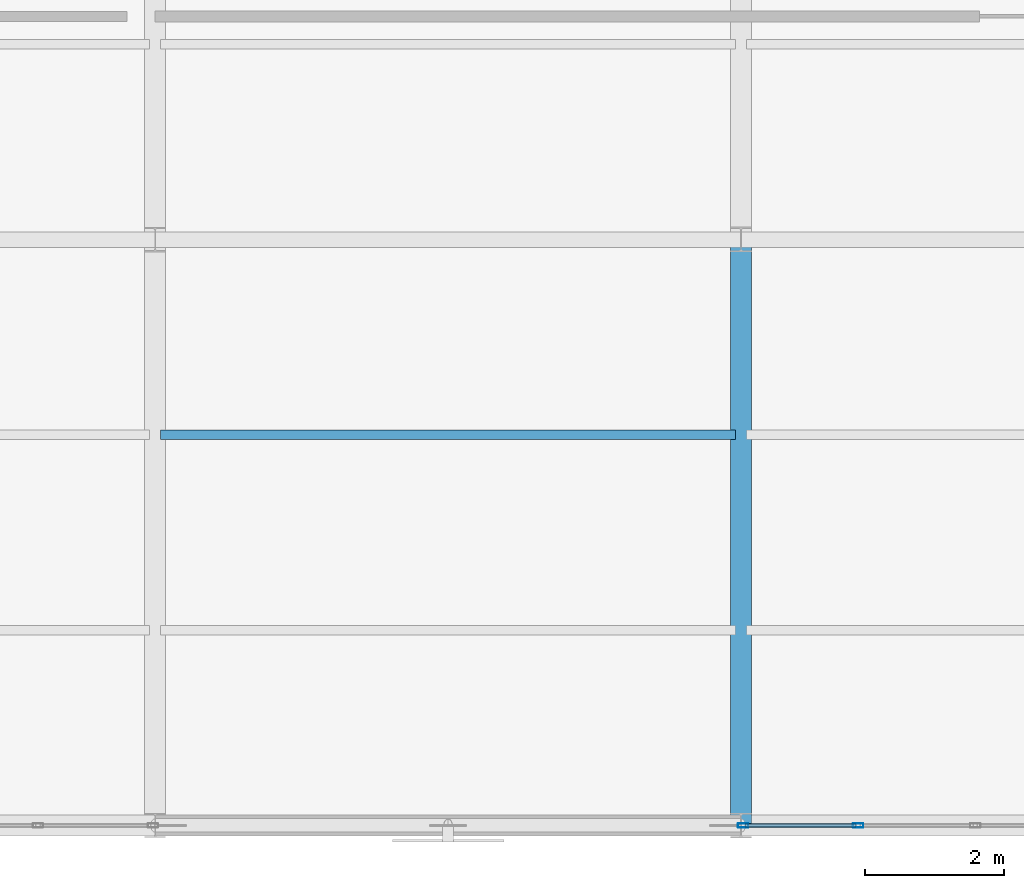
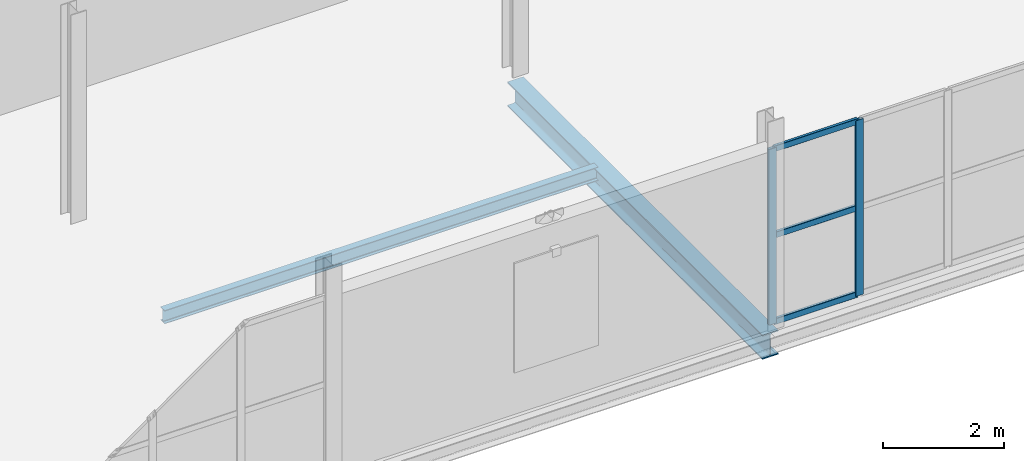
# One storey, part 96 of 163: 5 members, 2 beams, 1 element without a shape of its own.
"""IFC4 building model written with IfcOpenShell, lengths in metres."""

from ifc_helpers import new_model, si_unit, direction, frame, origin, origin_2d, place, context, subcontext, project, spatial, hollow_rectangle, i_section, extrude, material, layer, layer_set, material_profile, profile_set, type_object, element, aggregate, save


model = new_model("IFC4")

# Units and contexts
model_context = context("Model", 3, precision=1e-05, world=origin(), true_north=direction((0.0, 1.0)))
body_context = subcontext(model_context, "Body", "Model", "MODEL_VIEW")
ifc_project = project(units=[si_unit("LENGTHUNIT", "METRE"), si_unit("AREAUNIT", "SQUARE_METRE"), si_unit("VOLUMEUNIT", "CUBIC_METRE"), si_unit("PLANEANGLEUNIT", "RADIAN"), si_unit("MASSUNIT", "GRAM", prefix="KILO")], contexts=[model_context])

# Site, building, storey
site_placement = place(None, origin())
site = spatial("IfcSite", under=ifc_project, at=site_placement, CompositionType="ELEMENT")
building_placement = place(site_placement, origin())
building = spatial("IfcBuilding", under=site, at=building_placement, Name="Qalvenar Corner Mobility Hub", CompositionType="ELEMENT")
storey_placement = place(building_placement, frame((0.0, 0.0, 4.800048828125)))
storey = spatial("IfcBuildingStorey", under=building, at=storey_placement, Name="L01", CompositionType="ELEMENT", Elevation=4.800048828125)

# Beams
ifc_material_1 = material(Name="Steel S355", Category="steel")
ifc_material_profile_1 = material_profile(ifc_material_1, i_section(OverallWidth=0.300048828125, OverallDepth=0.489990234375, WebThickness=0.011962890625, FlangeThickness=0.02294921875, FilletRadius=0.027099609375, at=origin_2d()), Name="HEA500")
ifc_profile_set_1 = profile_set([ifc_material_profile_1], Name="Steel S355")
beam_type_1 = type_object("IfcBeamType", Name="BM-HEA500", PredefinedType="BEAM", material=ifc_profile_set_1)
beam_1_placement = place(storey_placement, frame((151.199951171875, 0.0, -0.425048828125), z_axis=(0.0, 1.0, 0.0), x_axis=(-1.0, 0.0, 0.0)))
element("IfcBeam", 1, at=beam_1_placement, inside=storey, type_object=beam_type_1, Name="Primary Steel Girder GY-1056", PredefinedType="BEAM", context=body_context, shape_type="SweptSolid", body=[
    extrude(i_section(OverallWidth=0.300048828125, OverallDepth=0.489990234375, WebThickness=0.011962890625, FlangeThickness=0.02294921875, FilletRadius=0.027099609375, at=origin_2d()), origin(), (0.0, 0.0, 1.0), 8.39990234375),
])
ifc_material_profile_2 = material_profile(ifc_material_1, i_section(OverallWidth=0.135009765625, OverallDepth=0.27001953125, WebThickness=0.006591796875, FlangeThickness=0.01025390625, FilletRadius=0.014892578125, at=origin_2d()), Name="IPE270")
ifc_profile_set_2 = profile_set([ifc_material_profile_2], Name="Steel S355")
beam_type_2 = type_object("IfcBeamType", Name="BM-JST270", PredefinedType="JOIST", material=ifc_profile_set_2)
beam_2_placement = place(storey_placement, frame((142.8779296875, 5.60009765625, -0.31494140625), z_axis=(1.0, 0.0, 0.0), x_axis=(0.0, 1.0, 0.0)))
element("IfcBeam", 2, at=beam_2_placement, inside=storey, type_object=beam_type_2, Name="Composite Floor Joist J-1121", PredefinedType="JOIST", context=body_context, shape_type="SweptSolid", body=[
    extrude(i_section(OverallWidth=0.135009765625, OverallDepth=0.27001953125, WebThickness=0.006591796875, FlangeThickness=0.01025390625, FilletRadius=0.014892578125, at=origin_2d()), origin(), (0.0, 0.0, 1.0), 8.244140625),
])

# Curtain wall, members
ifc_material_2 = material(Name="Anodised Aluminium and Low-E Glazing", Category="aluminium")
ifc_layer = layer(ifc_material_2, 0.14990234375)
ifc_layer_set = layer_set([ifc_layer], Name="Anodised Aluminium and Low-E Glazing")
curtain_wall_type = type_object("IfcCurtainWallType", Name="CW-WKS-84X44", PredefinedType="NOTDEFINED", material=ifc_layer_set)
curtain_wall_placement = place(storey_placement, origin())
curtain_wall = element("IfcCurtainWall", 3, at=curtain_wall_placement, inside=storey, type_object=curtain_wall_type, Name="Glazed Curtain Wall CW-V6-L01-S5", PredefinedType="NOTDEFINED")
ifc_material_3 = material(Name="Anodised Aluminium 6063-T6", Category="aluminium")
ifc_material_profile_3 = material_profile(ifc_material_3, hollow_rectangle(XDim=0.06005859375, YDim=0.14990234375, WallThickness=0.00390625, InnerFilletRadius=0.00390625, OuterFilletRadius=0.008056640625, at=origin_2d()), Name="RHS150x60x4")
ifc_profile_set_3 = profile_set([ifc_material_profile_3], Name="Anodised Aluminium 6063-T6")
member_type_1 = type_object("IfcMemberType", Name="CW-MUL150", PredefinedType="MULLION", material=ifc_profile_set_3)
member_1_placement = place(storey_placement, frame((151.22998046875, 0.0, 0.0), z_axis=(0.0, 0.0, 1.0), x_axis=(0.0, 1.0, 0.0)))
member_1 = element("IfcMember", 4, at=member_1_placement, type_object=member_type_1, Name="CW-09 mullion 1", PredefinedType="MULLION", context=body_context, shape_type="SweptSolid", body=[
    extrude(hollow_rectangle(XDim=0.06005859375, YDim=0.14990234375, WallThickness=0.00390625, InnerFilletRadius=0.00390625, OuterFilletRadius=0.008056640625, at=origin_2d()), origin(), (0.0, 0.0, 1.0), 3.530029296875),
])
member_2_placement = place(storey_placement, frame((152.8798828125, 0.0, 0.0), z_axis=(0.0, 0.0, 1.0), x_axis=(0.0, 1.0, 0.0)))
member_2 = element("IfcMember", 5, at=member_2_placement, type_object=member_type_1, Name="CW-09 mullion 2", PredefinedType="MULLION", context=body_context, shape_type="SweptSolid", body=[
    extrude(hollow_rectangle(XDim=0.06005859375, YDim=0.14990234375, WallThickness=0.00390625, InnerFilletRadius=0.00390625, OuterFilletRadius=0.008056640625, at=origin_2d()), origin(), (0.0, 0.0, 1.0), 3.530029296875),
])
ifc_material_profile_4 = material_profile(ifc_material_3, hollow_rectangle(XDim=0.054931640625, YDim=0.1201171875, WallThickness=0.00341796875, InnerFilletRadius=0.00341796875, OuterFilletRadius=0.007080078125, at=origin_2d()), Name="RHS120x55x3.5")
ifc_profile_set_4 = profile_set([ifc_material_profile_4], Name="Anodised Aluminium 6063-T6")
member_type_2 = type_object("IfcMemberType", Name="CW-TRN120", PredefinedType="USERDEFINED", material=ifc_profile_set_4)
member_3_placement = place(storey_placement, frame((151.260009765625, 0.0, 0.02734375), z_axis=(1.0, 0.0, 0.0), x_axis=(0.0, 1.0, 0.0)))
member_3 = element("IfcMember", 6, at=member_3_placement, type_object=member_type_2, Name="CW-09 transom 1.1", ObjectType="TRANSOM", PredefinedType="USERDEFINED", context=body_context, shape_type="SweptSolid", body=[
    extrude(hollow_rectangle(XDim=0.054931640625, YDim=0.1201171875, WallThickness=0.00341796875, InnerFilletRadius=0.00341796875, OuterFilletRadius=0.007080078125, at=origin_2d()), origin(), (0.0, 0.0, 1.0), 1.590087890625),
])
member_4_placement = place(storey_placement, frame((151.260009765625, 0.0, 1.764892578125), z_axis=(1.0, 0.0, 0.0), x_axis=(0.0, 1.0, 0.0)))
member_4 = element("IfcMember", 7, at=member_4_placement, type_object=member_type_2, Name="CW-09 transom 1.2", ObjectType="TRANSOM", PredefinedType="USERDEFINED", context=body_context, shape_type="SweptSolid", body=[
    extrude(hollow_rectangle(XDim=0.054931640625, YDim=0.1201171875, WallThickness=0.00341796875, InnerFilletRadius=0.00341796875, OuterFilletRadius=0.007080078125, at=origin_2d()), origin(), (0.0, 0.0, 1.0), 1.590087890625),
])
member_5_placement = place(storey_placement, frame((151.260009765625, 0.0, 3.50244140625), z_axis=(1.0, 0.0, 0.0), x_axis=(0.0, 1.0, 0.0)))
member_5 = element("IfcMember", 8, at=member_5_placement, type_object=member_type_2, Name="CW-09 transom 1.3", ObjectType="TRANSOM", PredefinedType="USERDEFINED", context=body_context, shape_type="SweptSolid", body=[
    extrude(hollow_rectangle(XDim=0.054931640625, YDim=0.1201171875, WallThickness=0.00341796875, InnerFilletRadius=0.00341796875, OuterFilletRadius=0.007080078125, at=origin_2d()), origin(), (0.0, 0.0, 1.0), 1.590087890625),
])
aggregate(curtain_wall, [member_1, member_2, member_3, member_4, member_5])

save(model, "model.ifc")
